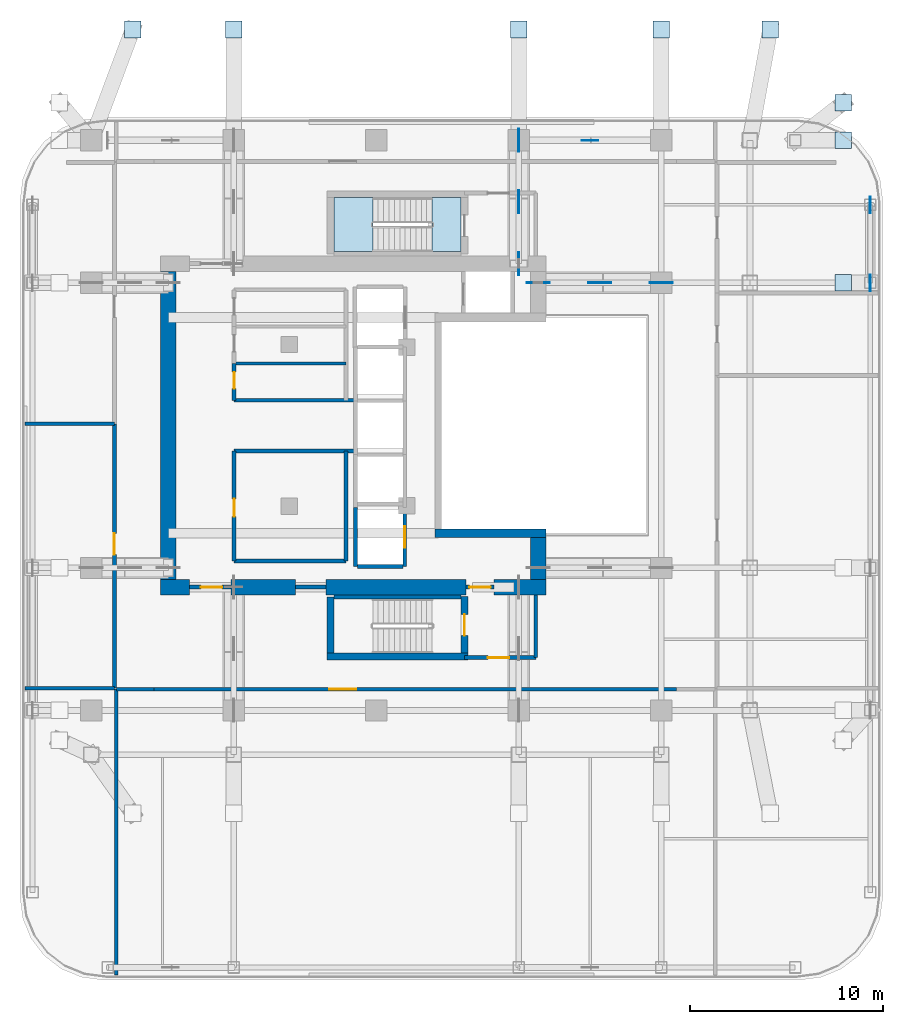
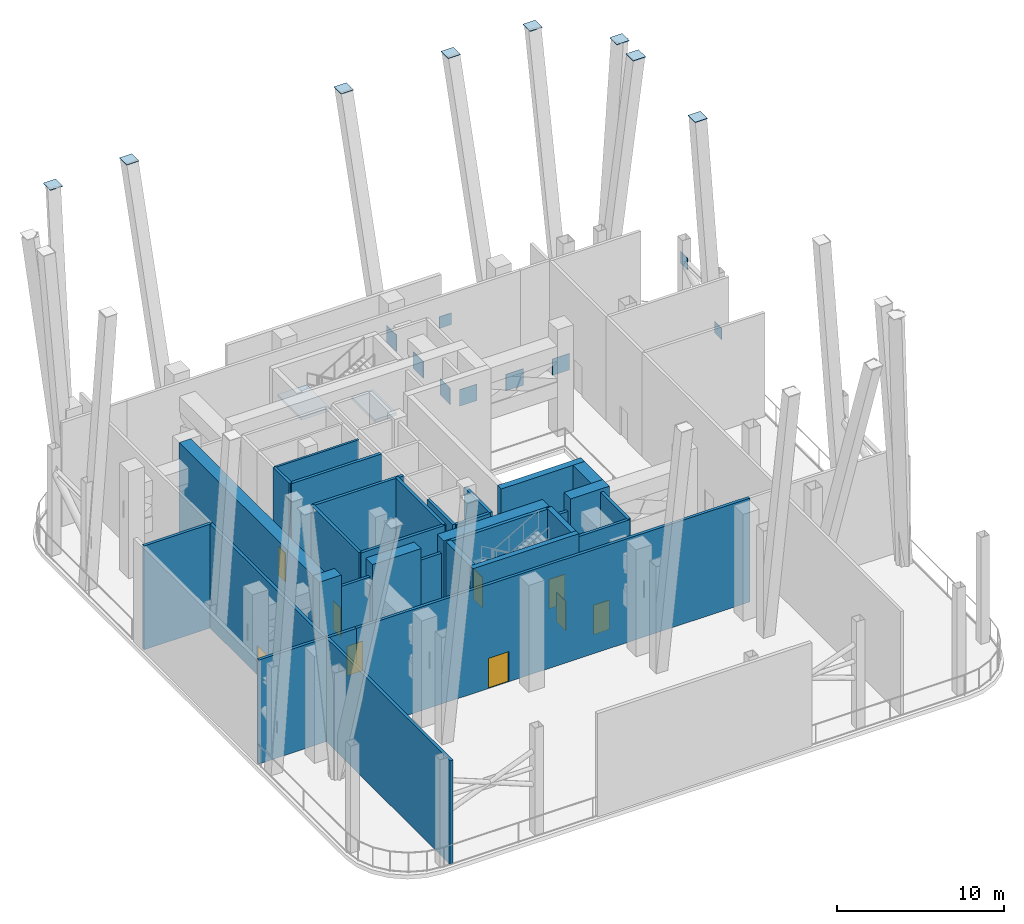
# One storey, part 4 of 9: 32 walls, 17 plates, 9 doors, 2 slabs, 9 openings, 1 element without a shape of its own.
"""IFC4 building model written with IfcOpenShell, lengths in metres."""

from ifc_helpers import new_model, si_unit, direction, frame, frame_2d, origin, origin_2d, place, context, subcontext, project, spatial, polyline, rectangle, outline, extrude, material, layer, layer_set, type_object, element, fill, aggregate, save


model = new_model("IFC4")

# Units and contexts
model_context = context("Model", 3, precision=1e-05, world=origin(), true_north=direction((0.0, 1.0)))
body_context = subcontext(model_context, "Body", "Model", "MODEL_VIEW")
ifc_project = project(units=[si_unit("LENGTHUNIT", "METRE"), si_unit("AREAUNIT", "SQUARE_METRE"), si_unit("VOLUMEUNIT", "CUBIC_METRE"), si_unit("PLANEANGLEUNIT", "RADIAN"), si_unit("MASSUNIT", "GRAM", prefix="KILO")], contexts=[model_context])

# Site, building, storey
site_placement = place(None, origin())
site = spatial("IfcSite", under=ifc_project, at=site_placement, CompositionType="ELEMENT")
building_placement = place(site_placement, origin())
building = spatial("IfcBuilding", under=site, at=building_placement, Name="Khorvyn Point Tower", CompositionType="ELEMENT")
storey_placement = place(building_placement, frame((0.0, 0.0, 235.199951171875)))
storey = spatial("IfcBuildingStorey", under=building, at=storey_placement, Name="L58", CompositionType="ELEMENT", Elevation=235.199951171875)

# Stair, slabs
ifc_material_1 = material(Name="Concrete C40/50", Category="concrete")
stair_type = type_object("IfcStairType", Name="Tower Concrete C40/50 Dogleg Exit Stair", PredefinedType="HALF_TURN_STAIR", material=ifc_material_1)
stair_placement = place(storey_placement, origin())
stair = element("IfcStair", 1, at=stair_placement, inside=storey, type_object=stair_type, Name="L58 Tower Smokeproof Exit Stair North", PredefinedType="HALF_TURN_STAIR")
ifc_layer_1 = layer(ifc_material_1, 0.199951171875)
ifc_layer_set_1 = layer_set([ifc_layer_1], Name="Concrete C40/50 Stair Landing Slab 200")
slab_type = type_object("IfcSlabType", Name="Concrete C40/50 Stair Landing Slab 200", PredefinedType="LANDING", material=ifc_layer_set_1)
slab_1_placement = place(storey_placement, frame((0.0, 0.0, 3.699951171875)))
slab_1 = element("IfcSlab", 2, at=slab_1_placement, type_object=slab_type, Name="ST-02 landing 2", PredefinedType="LANDING", context=body_context, shape_type="SweptSolid", body=[
    extrude(outline(polyline([(4.39990234375, 11.820068359375), (2.89990234375, 11.820068359375), (2.89990234375, 9.02001953125), (4.39990234375, 9.02001953125), (4.39990234375, 11.820068359375)])), origin(), (0.0, 0.0, 1.0), 0.2001953125),
])
slab_2_placement = place(storey_placement, frame((0.0, 0.0, 5.650146484375)))
slab_2 = element("IfcSlab", 3, at=slab_2_placement, type_object=slab_type, Name="ST-02 landing 3", PredefinedType="LANDING", context=body_context, shape_type="SweptSolid", body=[
    extrude(outline(polyline([(-0.179931640625, 11.820068359375), (-2.199951171875, 11.820068359375), (-2.199951171875, 9.02001953125), (-0.179931640625, 9.02001953125), (-0.179931640625, 11.820068359375)])), origin(), (0.0, 0.0, 1.0), 0.199951171875),
])
aggregate(stair, [slab_1, slab_2])

# Plates
ifc_material_2 = material(Name="Steel S450", Category="steel")
ifc_layer_2 = layer(ifc_material_2, 0.031982421875)
ifc_layer_set_2 = layer_set([ifc_layer_2], Name="Steel S450 Exoskeleton End Cap Plate 32")
plate_type_1 = type_object("IfcPlateType", Name="Steel S450 Exoskeleton End Cap Plate 32", PredefinedType="USERDEFINED", material=ifc_layer_set_2)
plate_placement = place(storey_placement, frame((11.10009765625, 14.800048828125, 4.3349609375), z_axis=(0.0, 0.0, 1.0), x_axis=(1.0, 0.0, 0.0)))
element("IfcPlate", 4, at=plate_placement, inside=storey, type_object=plate_type_1, Name="NP-BT-L58-N2-M", ObjectType="GUSSET", PredefinedType="USERDEFINED", context=body_context, shape_type="SweptSolid", body=[
    extrude(rectangle(XDim=0.860107421875, YDim=0.031982421875, at=origin_2d()), origin(), (0.0, 0.0, 1.0), 0.860107421875),
])
for number, where, z_axis, x_axis, name in (
    (5, (25.64990234375, 11.449951171875, 5.64990234375), (0.0, 0.0, 1.0), (1.0, 0.0, 0.0), "NP-EXO-L58-E2"),
    (6, (25.64990234375, 7.39990234375, 3.02001953125), (0.0, 0.0, 1.0), (1.0, 0.0, 0.0), "NP-EXO-BOT-L58-E2"),
):
    element("IfcPlate", number, at=place(storey_placement, frame(where, z_axis=z_axis, x_axis=x_axis)), inside=storey, type_object=plate_type_1, Name=name, ObjectType="GUSSET", PredefinedType="USERDEFINED", context=body_context, shape_type="SweptSolid", body=[
        extrude(rectangle(XDim=0.031982421875, YDim=0.860107421875, at=origin_2d()), origin(), (0.0, 0.0, 1.0), 0.860107421875),
    ])
for number, where, z_axis, x_axis, name in (
    (7, (-12.64892578125, 20.552734375, 19.49365234375), (0.0, 0.0, 1.0), (1.0, 0.0, 0.0), "Plate"),
    (8, (20.450439453125, 20.552734375, 19.49365234375), (0.0, 0.0, 1.0), (1.0, 0.0, 0.0), "Plate"),
    (9, (24.251220703125, 16.7509765625, 19.494140625), (0.0, 0.0, 1.0), (1.0, 0.0, 0.0), "Plate"),
    (10, (-7.39990234375, 20.552734375, 19.49365234375), (0.0, 0.0, 1.0), (1.0, 0.0, 0.0), "Plate"),
    (11, (7.39990234375, 20.552734375, 19.49365234375), (0.0, 0.0, 1.0), (1.0, 0.0, 0.0), "Plate"),
    (12, (14.800048828125, 20.552734375, 19.49365234375), (0.0, 0.0, 1.0), (1.0, 0.0, 0.0), "Plate"),
    (13, (24.249267578125, 7.39990234375, 19.494140625), (0.0, 0.0, 1.0), (1.0, 0.0, 0.0), "Plate"),
    (14, (24.251220703125, 14.800048828125, 19.494140625), (0.0, 0.0, 1.0), (1.0, 0.0, 0.0), "Plate"),
):
    element("IfcPlate", number, at=place(storey_placement, frame(where, z_axis=z_axis, x_axis=x_axis)), inside=storey, type_object=plate_type_1, Name=name, ObjectType="GUSSET", PredefinedType="USERDEFINED", context=body_context, shape_type="SweptSolid", body=[
        extrude(rectangle(XDim=0.860107421875, YDim=0.860107421875, at=origin_2d()), origin(), (0.0, 0.0, 1.0), 0.031982421875),
    ])
ifc_layer_3 = layer(ifc_material_2, 0.0400390625)
ifc_layer_set_3 = layer_set([ifc_layer_3], Name="Steel S450 Outrigger Gusset Node Plate 40")
plate_type_2 = type_object("IfcPlateType", Name="Steel S450 Outrigger Gusset Node Plate 40", PredefinedType="USERDEFINED", material=ifc_layer_set_3)
for number, where, z_axis, x_axis, name in (
    (15, (14.800048828125, 7.39990234375, 4.1650390625), (0.0, 0.0, 1.0), (1.0, 0.0, 0.0), "NP-OT-L58-EN"),
    (16, (8.39990234375, 7.39990234375, 4.1650390625), (0.0, 0.0, 1.0), (1.0, 0.0, 0.0), "NP-OT-IN-L58-EN"),
    (17, (11.60009765625, 7.39990234375, 4.1650390625), (0.0, 0.0, 1.0), (1.0, 0.0, 0.0), "NP-OT-MID-L58-EN"),
):
    element("IfcPlate", number, at=place(storey_placement, frame(where, z_axis=z_axis, x_axis=x_axis)), inside=storey, type_object=plate_type_2, Name=name, ObjectType="GUSSET", PredefinedType="USERDEFINED", context=body_context, shape_type="SweptSolid", body=[
        extrude(rectangle(XDim=1.199951171875, YDim=0.0400390625, at=origin_2d()), origin(), (0.0, 0.0, 1.0), 1.199951171875),
    ])
for number, where, z_axis, x_axis, name in (
    (18, (7.39990234375, 14.800048828125, 4.1650390625), (0.0, 0.0, 1.0), (1.0, 0.0, 0.0), "NP-OT-L58-NE"),
    (19, (7.39990234375, 8.39990234375, 4.1650390625), (0.0, 0.0, 1.0), (1.0, 0.0, 0.0), "NP-OT-IN-L58-NE"),
    (20, (7.39990234375, 11.60009765625, 4.1650390625), (0.0, 0.0, 1.0), (1.0, 0.0, 0.0), "NP-OT-MID-L58-NE"),
):
    element("IfcPlate", number, at=place(storey_placement, frame(where, z_axis=z_axis, x_axis=x_axis)), inside=storey, type_object=plate_type_2, Name=name, ObjectType="GUSSET", PredefinedType="USERDEFINED", context=body_context, shape_type="SweptSolid", body=[
        extrude(rectangle(XDim=0.0400390625, YDim=1.199951171875, at=origin_2d()), origin(), (0.0, 0.0, 1.0), 1.199951171875),
    ])

# Wall
ifc_layer_4 = layer(ifc_material_1, 0.449951171875)
ifc_layer_set_4 = layer_set([ifc_layer_4], Name="Concrete C40/50 Core Shear Wall 450")
wall_type_1 = type_object("IfcWallType", Name="Concrete C40/50 Core Shear Wall 450", PredefinedType="SHEAR", material=ifc_layer_set_4)
wall_1_placement = place(storey_placement, frame((3.044921875, -5.60009765625, 0.0), z_axis=(0.0, 0.0, 1.0), x_axis=(1.0, 0.0, 0.0)))
element("IfcWall", 21, at=wall_1_placement, inside=storey, type_object=wall_type_1, Name="Wall", PredefinedType="SHEAR", context=body_context, shape_type="SweptSolid", body=[
    extrude(rectangle(XDim=5.755126953125, YDim=0.449951171875, at=frame_2d((2.87744140625, 0.0))), origin(), (0.0, 0.0, 1.0), 7.800048828125),
])

# Wall, opening, door
ifc_layer_5 = layer(ifc_material_1, 0.199951171875)
ifc_layer_set_5 = layer_set([ifc_layer_5], Name="Concrete C40/50 Fire-Lobby Compartment Wall 200")
wall_type_2 = type_object("IfcWallType", Name="Concrete C40/50 Fire-Lobby Compartment Wall 200", PredefinedType="SOLIDWALL", material=ifc_layer_set_5)
wall_2_placement = place(storey_placement, frame((4.580078125, -12.06005859375, 0.0), z_axis=(0.0, 0.0, 1.0), x_axis=(1.0, 0.0, 0.0)))
wall_2 = element("IfcWall", 22, at=wall_2_placement, inside=storey, type_object=wall_type_2, Name="Wall", PredefinedType="SOLIDWALL", context=body_context, shape_type="SweptSolid", body=[
    extrude(rectangle(XDim=3.699951171875, YDim=0.199951171875, at=frame_2d((1.85009765625, 0.0))), origin(), (0.0, 0.0, 1.0), 7.580078125),
])
opening_1_placement = place(wall_2_placement, frame((1.21240234375, 0.0, 0.0)))
opening_1 = element("IfcOpeningElement", 23, at=opening_1_placement, cuts=wall_2, Name="Opening ID-FL90", PredefinedType="OPENING", context=body_context, shape_type="SweptSolid", body=[
    extrude(rectangle(XDim=1.10009765625, YDim=2.14990234375, at=frame_2d((0.550048828125, 1.074951171875))), frame((0.0, 0.10986328125, 0.0), z_axis=(0.0, -1.0, 0.0), x_axis=(1.0, 0.0, 0.0)), (0.0, 0.0, 1.0), 0.219970703125),
])
ifc_material_3 = material(Name="Galvanised powder-coated steel", Category="steel")
door_type_1 = type_object("IfcDoorType", Name="Fire-Rated Steel Lobby and Stair Door 1100x2150", OperationType="NOTDEFINED", PredefinedType="DOOR", material=ifc_material_3)
door_1_placement = place(opening_1_placement, origin())
door_1 = element("IfcDoor", 24, at=door_1_placement, inside=storey, type_object=door_type_1, Name="Door", OperationType="SINGLE_SWING_RIGHT", OverallHeight=2.14990234375, OverallWidth=1.10009765625, PredefinedType="DOOR", context=body_context, shape_type="SweptSolid", body=[
    extrude(rectangle(XDim=1.10009765625, YDim=2.14990234375, at=frame_2d((0.550048828125, 1.074951171875))), frame((0.0, 0.02490234375, 0.0), z_axis=(0.0, -1.0, 0.0), x_axis=(1.0, 0.0, 0.0)), (0.0, 0.0, 1.0), 0.050048828125),
])
fill(opening_1, door_1)

wall_3_placement = place(storey_placement, frame((4.64990234375, -8.39990234375, 0.0), z_axis=(0.0, 0.0, 1.0), x_axis=(1.0, 0.0, 0.0)))
wall_3 = element("IfcWall", 25, at=wall_3_placement, inside=storey, type_object=wall_type_2, Name="Wall", PredefinedType="SOLIDWALL", context=body_context, shape_type="SweptSolid", body=[
    extrude(rectangle(XDim=1.47021484375, YDim=0.199951171875, at=frame_2d((0.735107421875, 0.0))), origin(), (0.0, 0.0, 1.0), 6.719970703125),
])
opening_2_placement = place(wall_3_placement, frame((0.18505859375, 0.0, 0.0)))
opening_2 = element("IfcOpeningElement", 26, at=opening_2_placement, cuts=wall_3, Name="Opening ID-FL90", PredefinedType="OPENING", context=body_context, shape_type="SweptSolid", body=[
    extrude(rectangle(XDim=1.10009765625, YDim=2.14990234375, at=frame_2d((0.550048828125, 1.074951171875))), frame((0.0, 0.10986328125, 0.0), z_axis=(0.0, -1.0, 0.0), x_axis=(1.0, 0.0, 0.0)), (0.0, 0.0, 1.0), 0.219970703125),
])
door_2_placement = place(opening_2_placement, origin())
door_2 = element("IfcDoor", 27, at=door_2_placement, inside=storey, type_object=door_type_1, Name="Door", OperationType="SINGLE_SWING_LEFT", OverallHeight=2.14990234375, OverallWidth=1.10009765625, PredefinedType="DOOR", context=body_context, shape_type="SweptSolid", body=[
    extrude(rectangle(XDim=1.10009765625, YDim=2.14990234375, at=frame_2d((0.550048828125, 1.074951171875))), frame((0.0, 0.02490234375, 0.0), z_axis=(0.0, -1.0, 0.0), x_axis=(1.0, 0.0, 0.0)), (0.0, 0.0, 1.0), 0.050048828125),
])
fill(opening_2, door_2)

wall_4_placement = place(storey_placement, frame((-9.699951171875, -8.39990234375, 0.0), z_axis=(0.0, 0.0, 1.0), x_axis=(1.0, 0.0, 0.0)))
wall_4 = element("IfcWall", 28, at=wall_4_placement, inside=storey, type_object=wall_type_2, Name="Wall", PredefinedType="SOLIDWALL", context=body_context, shape_type="SweptSolid", body=[
    extrude(rectangle(XDim=2.14990234375, YDim=0.199951171875, at=frame_2d((1.074951171875, 0.0))), origin(), (0.0, 0.0, 1.0), 6.719970703125),
])
opening_3_placement = place(wall_4_placement, frame((0.597900390625, 0.0, 0.0)))
opening_3 = element("IfcOpeningElement", 29, at=opening_3_placement, cuts=wall_4, Name="Opening ID-FL90", PredefinedType="OPENING", context=body_context, shape_type="SweptSolid", body=[
    extrude(rectangle(XDim=1.10009765625, YDim=2.14990234375, at=frame_2d((0.550048828125, 1.074951171875))), frame((0.0, 0.10986328125, 0.0), z_axis=(0.0, -1.0, 0.0), x_axis=(1.0, 0.0, 0.0)), (0.0, 0.0, 1.0), 0.219970703125),
])
door_3_placement = place(opening_3_placement, origin())
door_3 = element("IfcDoor", 30, at=door_3_placement, inside=storey, type_object=door_type_1, Name="Door", OperationType="SINGLE_SWING_LEFT", OverallHeight=2.14990234375, OverallWidth=1.10009765625, PredefinedType="DOOR", context=body_context, shape_type="SweptSolid", body=[
    extrude(rectangle(XDim=1.10009765625, YDim=2.14990234375, at=frame_2d((0.550048828125, 1.074951171875))), frame((0.0, 0.02490234375, 0.0), z_axis=(0.0, -1.0, 0.0), x_axis=(1.0, 0.0, 0.0)), (0.0, 0.0, 1.0), 0.050048828125),
])
fill(opening_3, door_3)

wall_5_placement = place(storey_placement, frame((-7.3798828125, -7.0400390625, 0.0), z_axis=(0.0, 0.0, 1.0), x_axis=(0.0, 1.0, 0.0)))
wall_5 = element("IfcWall", 31, at=wall_5_placement, inside=storey, type_object=wall_type_2, Name="Wall", PredefinedType="SOLIDWALL", context=body_context, shape_type="SweptSolid", body=[
    extrude(rectangle(XDim=5.699951171875, YDim=0.199951171875, at=frame_2d((2.85009765625, 0.0))), origin(), (0.0, 0.0, 1.0), 7.580078125),
])
opening_4_placement = place(wall_5_placement, frame((2.30078125, 0.0, 0.0)))
opening_4 = element("IfcOpeningElement", 32, at=opening_4_placement, cuts=wall_5, Name="Opening ID-RS60", PredefinedType="OPENING", context=body_context, shape_type="SweptSolid", body=[
    extrude(rectangle(XDim=0.919921875, YDim=2.10009765625, at=frame_2d((0.4599609375, 1.050048828125))), frame((0.0, 0.10986328125, 0.0), z_axis=(0.0, -1.0, 0.0), x_axis=(1.0, 0.0, 0.0)), (0.0, 0.0, 1.0), 0.219970703125),
])
door_type_2 = type_object("IfcDoorType", Name="Fire-Rated Riser and Store Steel Door 920x2100", OperationType="NOTDEFINED", PredefinedType="DOOR", material=ifc_material_3)
door_4_placement = place(opening_4_placement, origin())
door_4 = element("IfcDoor", 33, at=door_4_placement, inside=storey, type_object=door_type_2, Name="Door", OperationType="SINGLE_SWING_LEFT", OverallHeight=2.10009765625, OverallWidth=0.919921875, PredefinedType="DOOR", context=body_context, shape_type="SweptSolid", body=[
    extrude(rectangle(XDim=0.919921875, YDim=2.10009765625, at=frame_2d((0.4599609375, 1.050048828125))), frame((0.0, 0.02490234375, 0.0), z_axis=(0.0, -1.0, 0.0), x_axis=(1.0, 0.0, 0.0)), (0.0, 0.0, 1.0), 0.050048828125),
])
fill(opening_4, door_4)

wall_6_placement = place(storey_placement, frame((-7.3798828125, 1.300048828125, 0.0), z_axis=(0.0, 0.0, 1.0), x_axis=(0.0, 1.0, 0.0)))
wall_6 = element("IfcWall", 34, at=wall_6_placement, inside=storey, type_object=wall_type_2, Name="Wall", PredefinedType="SOLIDWALL", context=body_context, shape_type="SweptSolid", body=[
    extrude(rectangle(XDim=1.919921875, YDim=0.199951171875, at=frame_2d((0.9599609375, 0.0))), origin(), (0.0, 0.0, 1.0), 7.580078125),
])
opening_5_placement = place(wall_6_placement, frame((0.610107421875, 0.0, 0.0)))
opening_5 = element("IfcOpeningElement", 35, at=opening_5_placement, cuts=wall_6, Name="Opening ID-WC85", PredefinedType="OPENING", context=body_context, shape_type="SweptSolid", body=[
    extrude(rectangle(XDim=0.85009765625, YDim=2.10009765625, at=frame_2d((0.425048828125, 1.050048828125))), frame((0.0, 0.10986328125, 0.0), z_axis=(0.0, -1.0, 0.0), x_axis=(1.0, 0.0, 0.0)), (0.0, 0.0, 1.0), 0.219970703125),
])
ifc_material_4 = material(Name="High-pressure laminate on moisture-resistant core", Category="wood")
door_type_3 = type_object("IfcDoorType", Name="Moisture-Resistant Accessible Washroom Door 850x2100", OperationType="NOTDEFINED", PredefinedType="DOOR", material=ifc_material_4)
door_5_placement = place(opening_5_placement, origin())
door_5 = element("IfcDoor", 36, at=door_5_placement, inside=storey, type_object=door_type_3, Name="Door", OperationType="SINGLE_SWING_RIGHT", OverallHeight=2.10009765625, OverallWidth=0.85009765625, PredefinedType="DOOR", context=body_context, shape_type="SweptSolid", body=[
    extrude(rectangle(XDim=0.85009765625, YDim=2.10009765625, at=frame_2d((0.425048828125, 1.050048828125))), frame((0.0, 0.02490234375, 0.0), z_axis=(0.0, -1.0, 0.0), x_axis=(1.0, 0.0, 0.0)), (0.0, 0.0, 1.0), 0.050048828125),
])
fill(opening_5, door_5)

wall_7_placement = place(storey_placement, frame((-11.550048828125, -13.699951171875, 0.0), z_axis=(0.0, 0.0, 1.0), x_axis=(1.0, 0.0, 0.0)))
wall_7 = element("IfcWall", 37, at=wall_7_placement, inside=storey, type_object=wall_type_2, Name="Wall", PredefinedType="SOLIDWALL", context=body_context, shape_type="SweptSolid", body=[
    extrude(rectangle(XDim=27.150146484375, YDim=0.199951171875, at=frame_2d((13.5751953125, 0.0))), origin(), (0.0, 0.0, 1.0), 7.580078125),
])
opening_6_placement = place(wall_7_placement, frame((9.1142578125, 0.0, 0.0)))
opening_6 = element("IfcOpeningElement", 38, at=opening_6_placement, cuts=wall_7, Name="Opening ID-PL90", PredefinedType="OPENING", context=body_context, shape_type="SweptSolid", body=[
    extrude(rectangle(XDim=1.39990234375, YDim=2.199951171875, at=frame_2d((0.699951171875, 1.10009765625))), frame((0.0, 0.10986328125, 0.0), z_axis=(0.0, -1.0, 0.0), x_axis=(1.0, 0.0, 0.0)), (0.0, 0.0, 1.0), 0.219970703125),
])
door_type_4 = type_object("IfcDoorType", Name="Double-Leaf Acoustic Steel Plant Room Door 1400x2200", OperationType="DOUBLE_DOOR_SINGLE_SWING", PredefinedType="DOOR", material=ifc_material_3)
door_6_placement = place(opening_6_placement, origin())
door_6 = element("IfcDoor", 39, at=door_6_placement, inside=storey, type_object=door_type_4, Name="Door", OperationType="SINGLE_SWING_LEFT", OverallHeight=2.199951171875, OverallWidth=1.39990234375, PredefinedType="DOOR", context=body_context, shape_type="SweptSolid", body=[
    extrude(rectangle(XDim=1.39990234375, YDim=2.199951171875, at=frame_2d((0.699951171875, 1.10009765625))), frame((0.0, 0.02490234375, 0.0), z_axis=(0.0, -1.0, 0.0), x_axis=(1.0, 0.0, 0.0)), (0.0, 0.0, 1.0), 0.050048828125),
])
fill(opening_6, door_6)

wall_8_placement = place(storey_placement, frame((-13.60009765625, -13.64990234375, 0.0), z_axis=(0.0, 0.0, 1.0), x_axis=(0.0, 1.0, 0.0)))
wall_8 = element("IfcWall", 40, at=wall_8_placement, inside=storey, type_object=wall_type_2, Name="Wall", PredefinedType="SOLIDWALL", context=body_context, shape_type="SweptSolid", body=[
    extrude(rectangle(XDim=13.72998046875, YDim=0.199951171875, at=frame_2d((6.864990234375, 0.0))), origin(), (0.0, 0.0, 1.0), 7.580078125),
])
opening_7_placement = place(wall_8_placement, frame((6.939453125, 0.0, 0.0)))
opening_7 = element("IfcOpeningElement", 41, at=opening_7_placement, cuts=wall_8, Name="Opening ID-FL90", PredefinedType="OPENING", context=body_context, shape_type="SweptSolid", body=[
    extrude(rectangle(XDim=1.10009765625, YDim=2.14990234375, at=frame_2d((0.550048828125, 1.074951171875))), frame((0.0, 0.10986328125, 0.0), z_axis=(0.0, -1.0, 0.0), x_axis=(1.0, 0.0, 0.0)), (0.0, 0.0, 1.0), 0.219970703125),
])
door_7_placement = place(opening_7_placement, origin())
door_7 = element("IfcDoor", 42, at=door_7_placement, inside=storey, type_object=door_type_1, Name="Door", OperationType="SINGLE_SWING_LEFT", OverallHeight=2.14990234375, OverallWidth=1.10009765625, PredefinedType="DOOR", context=body_context, shape_type="SweptSolid", body=[
    extrude(rectangle(XDim=1.10009765625, YDim=2.14990234375, at=frame_2d((0.550048828125, 1.074951171875))), frame((0.0, 0.02490234375, 0.0), z_axis=(0.0, -1.0, 0.0), x_axis=(1.0, 0.0, 0.0)), (0.0, 0.0, 1.0), 0.050048828125),
])
fill(opening_7, door_7)

# Walls
wall_9_placement = place(storey_placement, frame((8.280029296875, -12.06005859375, 0.0), z_axis=(0.0, 0.0, 1.0), x_axis=(0.0, 1.0, 0.0)))
element("IfcWall", 43, at=wall_9_placement, inside=storey, type_object=wall_type_2, Name="Wall", PredefinedType="SOLIDWALL", context=body_context, shape_type="SweptSolid", body=[
    extrude(rectangle(XDim=3.260009765625, YDim=0.199951171875, at=frame_2d((1.6298828125, 0.0))), origin(), (0.0, 0.0, 1.0), 7.580078125),
])
wall_10_placement = place(storey_placement, frame((-4.199951171875, -8.39990234375, 0.0), z_axis=(0.0, 0.0, 1.0), x_axis=(1.0, 0.0, 0.0)))
element("IfcWall", 44, at=wall_10_placement, inside=storey, type_object=wall_type_2, Name="Wall", PredefinedType="SOLIDWALL", context=body_context, shape_type="SweptSolid", body=[
    extrude(rectangle(XDim=1.579833984375, YDim=0.199951171875, at=frame_2d((0.7900390625, 0.0))), origin(), (0.0, 0.0, 1.0), 6.719970703125),
])
for number, where, z_axis, x_axis, name in (
    (45, (-7.3798828125, -1.340087890625, 0.0), (0.0, 0.0, 1.0), (1.0, 0.0, 0.0), "Wall"),
    (46, (-7.3798828125, 1.300048828125, 0.0), (0.0, 0.0, 1.0), (1.0, 0.0, 0.0), "Wall"),
):
    element("IfcWall", number, at=place(storey_placement, frame(where, z_axis=z_axis, x_axis=x_axis)), inside=storey, type_object=wall_type_2, Name=name, PredefinedType="SOLIDWALL", context=body_context, shape_type="SweptSolid", body=[
        extrude(rectangle(XDim=6.239990234375, YDim=0.199951171875, at=frame_2d((3.1201171875, 0.0))), origin(), (0.0, 0.0, 1.0), 7.580078125),
    ])
wall_11_placement = place(storey_placement, frame((-1.580078125, -7.0400390625, 0.0), z_axis=(0.0, 0.0, 1.0), x_axis=(0.0, 1.0, 0.0)))
element("IfcWall", 47, at=wall_11_placement, inside=storey, type_object=wall_type_2, Name="Wall", PredefinedType="SOLIDWALL", context=body_context, shape_type="SweptSolid", body=[
    extrude(rectangle(XDim=5.699951171875, YDim=0.199951171875, at=frame_2d((2.85009765625, 0.0))), origin(), (0.0, 0.0, 1.0), 7.580078125),
])
wall_12_placement = place(storey_placement, frame((-7.3798828125, -7.0400390625, 0.0), z_axis=(0.0, 0.0, 1.0), x_axis=(1.0, 0.0, 0.0)))
element("IfcWall", 48, at=wall_12_placement, inside=storey, type_object=wall_type_2, Name="Wall", PredefinedType="SOLIDWALL", context=body_context, shape_type="SweptSolid", body=[
    extrude(rectangle(XDim=5.7998046875, YDim=0.199951171875, at=frame_2d((2.89990234375, 0.0))), origin(), (0.0, 0.0, 1.0), 7.580078125),
])
wall_13_placement = place(storey_placement, frame((-13.5, -13.699951171875, 0.0), z_axis=(0.0, 0.0, 1.0), x_axis=(1.0, 0.0, 0.0)))
element("IfcWall", 49, at=wall_13_placement, inside=storey, type_object=wall_type_2, Name="Wall", PredefinedType="SOLIDWALL", context=body_context, shape_type="SweptSolid", body=[
    extrude(rectangle(XDim=1.949951171875, YDim=0.199951171875, at=frame_2d((0.97509765625, 0.0))), origin(), (0.0, 0.0, 1.0), 7.580078125),
])
wall_14_placement = place(storey_placement, frame((-13.5, -28.550048828125, 0.0), z_axis=(0.0, 0.0, 1.0), x_axis=(0.0, 1.0, 0.0)))
element("IfcWall", 50, at=wall_14_placement, inside=storey, type_object=wall_type_2, Name="Wall", PredefinedType="SOLIDWALL", context=body_context, shape_type="SweptSolid", body=[
    extrude(rectangle(XDim=14.85009765625, YDim=0.199951171875, at=frame_2d((7.425048828125, 0.0))), origin(), (0.0, 0.0, 1.0), 7.580078125),
])
for number, where, z_axis, x_axis, name in (
    (51, (-18.25, -13.64990234375, 0.0), (0.0, 0.0, 1.0), (1.0, 0.0, 0.0), "Wall"),
    (52, (-18.25, 0.080078125, 0.0), (0.0, 0.0, 1.0), (1.0, 0.0, 0.0), "Wall"),
):
    element("IfcWall", number, at=place(storey_placement, frame(where, z_axis=z_axis, x_axis=x_axis)), inside=storey, type_object=wall_type_2, Name=name, PredefinedType="SOLIDWALL", context=body_context, shape_type="SweptSolid", body=[
        extrude(rectangle(XDim=4.64990234375, YDim=0.199951171875, at=frame_2d((2.324951171875, 0.0))), origin(), (0.0, 0.0, 1.0), 7.580078125),
    ])
ifc_layer_6 = layer(ifc_material_1, 0.25)
ifc_layer_set_6 = layer_set([ifc_layer_6], Name="Concrete C40/50 Stair Inner Cheek Structural Wall 250")
wall_type_3 = type_object("IfcWallType", Name="Concrete C40/50 Stair Inner Cheek Structural Wall 250", PredefinedType="SHEAR", material=ifc_layer_set_6)
wall_15_placement = place(storey_placement, frame((-2.199951171875, -8.91259765625, 0.0), z_axis=(0.0, 0.0, 1.0), x_axis=(1.0, 0.0, 0.0)))
element("IfcWall", 53, at=wall_15_placement, inside=storey, type_object=wall_type_3, Name="Wall", PredefinedType="SHEAR", context=body_context, shape_type="SweptSolid", body=[
    extrude(rectangle(XDim=6.599853515625, YDim=0.22509765625, at=frame_2d((3.2998046875, 0.0))), origin(), (0.0, 0.0, 1.0), 7.800048828125),
])
ifc_layer_7 = layer(ifc_material_1, 0.35009765625)
ifc_layer_set_7 = layer_set([ifc_layer_7], Name="Concrete C40/50 Stair Shaft Structural Wall 350")
wall_type_4 = type_object("IfcWallType", Name="Concrete C40/50 Stair Shaft Structural Wall 350", PredefinedType="SHEAR", material=ifc_layer_set_7)
wall_16_placement = place(storey_placement, frame((-2.554931640625, -12.0, 0.0), z_axis=(0.0, 0.0, 1.0), x_axis=(1.0, 0.0, 0.0)))
element("IfcWall", 54, at=wall_16_placement, inside=storey, type_object=wall_type_4, Name="L58 ST-01 South Shaft Wall", PredefinedType="SHEAR", context=body_context, shape_type="SweptSolid", body=[
    extrude(rectangle(XDim=7.309814453125, YDim=0.35009765625, at=frame_2d((3.65478515625, 0.0))), origin(), (0.0, 0.0, 1.0), 7.800048828125),
])
wall_17_placement = place(storey_placement, frame((-2.3798828125, -11.824951171875, 0.0), z_axis=(0.0, 0.0, 1.0), x_axis=(0.0, 1.0, 0.0)))
element("IfcWall", 55, at=wall_17_placement, inside=storey, type_object=wall_type_4, Name="L58 ST-01 West Shaft Wall", PredefinedType="SHEAR", context=body_context, shape_type="SweptSolid", body=[
    extrude(rectangle(XDim=2.925048828125, YDim=0.35009765625, at=frame_2d((1.46240234375, 0.0))), origin(), (0.0, 0.0, 1.0), 7.800048828125),
])

# Wall, opening, door
wall_18_placement = place(storey_placement, frame((4.580078125, -8.89990234375, 0.0), z_axis=(0.0, 0.0, 1.0), x_axis=(0.0, -1.0, 0.0)))
wall_18 = element("IfcWall", 56, at=wall_18_placement, inside=storey, type_object=wall_type_4, Name="L58 ST-01 East Landing Door Wall", PredefinedType="SHEAR", context=body_context, shape_type="SweptSolid", body=[
    extrude(rectangle(XDim=2.925048828125, YDim=0.35009765625, at=frame_2d((1.46240234375, 0.0))), origin(), (0.0, 0.0, 1.0), 7.800048828125),
])
opening_8_placement = place(wall_18_placement, frame((0.91259765625, 0.0, 0.0)))
opening_8 = element("IfcOpeningElement", 57, at=opening_8_placement, cuts=wall_18, Name="Opening ID-FL90", PredefinedType="OPENING", context=body_context, shape_type="SweptSolid", body=[
    extrude(rectangle(XDim=1.10009765625, YDim=2.14990234375, at=frame_2d((0.550048828125, 1.074951171875))), frame((0.0, 0.18505859375, 0.0), z_axis=(0.0, -1.0, 0.0), x_axis=(1.0, 0.0, 0.0)), (0.0, 0.0, 1.0), 0.3701171875),
])
door_8_placement = place(opening_8_placement, origin())
door_8 = element("IfcDoor", 58, at=door_8_placement, inside=storey, type_object=door_type_1, Name="L58 ST-01 Smokeproof Landing Door", OperationType="SINGLE_SWING_RIGHT", OverallHeight=2.14990234375, OverallWidth=1.10009765625, PredefinedType="DOOR", context=body_context, shape_type="SweptSolid", body=[
    extrude(rectangle(XDim=1.10009765625, YDim=2.14990234375, at=frame_2d((0.550048828125, 1.074951171875))), frame((0.0, 0.02490234375, 0.0), z_axis=(0.0, -1.0, 0.0), x_axis=(1.0, 0.0, 0.0)), (0.0, 0.0, 1.0), 0.050048828125),
])
fill(opening_8, door_8)

# Wall
ifc_layer_8 = layer(ifc_material_1, 0.199951171875)
ifc_layer_set_8 = layer_set([ifc_layer_8], Name="Concrete C40/50 Structural Hoistway and Stair Shaft Wall 200")
wall_type_5 = type_object("IfcWallType", Name="Concrete C40/50 Structural Hoistway and Stair Shaft Wall 200", PredefinedType="SHEAR", material=ifc_layer_set_8)
wall_19_placement = place(storey_placement, frame((-1.074951171875, -7.324951171875, 0.0), z_axis=(0.0, 0.0, 1.0), x_axis=(0.0, 1.0, 0.0)))
element("IfcWall", 59, at=wall_19_placement, inside=storey, type_object=wall_type_5, Name="Wall", PredefinedType="SHEAR", context=body_context, shape_type="SweptSolid", body=[
    extrude(rectangle(XDim=3.050048828125, YDim=0.199951171875, at=frame_2d((1.52490234375, 0.0))), origin(), (0.0, 0.0, 1.0), 7.580078125),
])

# Wall, opening, door
wall_20_placement = place(storey_placement, frame((1.47509765625, -7.324951171875, 0.0), z_axis=(0.0, 0.0, 1.0), x_axis=(0.0, 1.0, 0.0)))
wall_20 = element("IfcWall", 60, at=wall_20_placement, inside=storey, type_object=wall_type_5, Name="Wall", PredefinedType="SHEAR", context=body_context, shape_type="SweptSolid", body=[
    extrude(rectangle(XDim=3.050048828125, YDim=0.199951171875, at=frame_2d((1.52490234375, 0.0))), origin(), (0.0, 0.0, 1.0), 7.580078125),
])
opening_9_placement = place(wall_20_placement, frame((0.97509765625, 0.0, 0.0)))
opening_9 = element("IfcOpeningElement", 61, at=opening_9_placement, cuts=wall_20, Name="Opening LD-1122", PredefinedType="OPENING", context=body_context, shape_type="SweptSolid", body=[
    extrude(rectangle(XDim=1.10009765625, YDim=2.199951171875, at=frame_2d((0.550048828125, 1.10009765625))), frame((0.0, 0.10986328125, 0.0), z_axis=(0.0, -1.0, 0.0), x_axis=(1.0, 0.0, 0.0)), (0.0, 0.0, 1.0), 0.219970703125),
])
ifc_material_5 = material(Name="Stainless steel 1.4301", Category="steel")
door_type_5 = type_object("IfcDoorType", Name="Stainless Steel Automatic Sliding Lift Landing Door 1100x2200", OperationType="SLIDING_TO_LEFT", PredefinedType="DOOR", material=ifc_material_5)
door_9_placement = place(opening_9_placement, origin())
door_9 = element("IfcDoor", 62, at=door_9_placement, inside=storey, type_object=door_type_5, Name="L58 FF-01 Sliding Lift Landing Door", OperationType="SLIDING_TO_LEFT", OverallHeight=2.199951171875, OverallWidth=1.10009765625, PredefinedType="DOOR", context=body_context, shape_type="SweptSolid", body=[
    extrude(rectangle(XDim=1.10009765625, YDim=2.199951171875, at=frame_2d((0.550048828125, 1.10009765625))), frame((0.0, 0.02490234375, 0.0), z_axis=(0.0, -1.0, 0.0), x_axis=(1.0, 0.0, 0.0)), (0.0, 0.0, 1.0), 0.050048828125),
])
fill(opening_9, door_9)

# Walls
wall_21_placement = place(storey_placement, frame((-0.97509765625, -7.324951171875, 0.0), z_axis=(0.0, 0.0, 1.0), x_axis=(1.0, 0.0, 0.0)))
element("IfcWall", 63, at=wall_21_placement, inside=storey, type_object=wall_type_5, Name="Wall", PredefinedType="SHEAR", context=body_context, shape_type="SweptSolid", body=[
    extrude(rectangle(XDim=2.35009765625, YDim=0.199951171875, at=frame_2d((1.175048828125, 0.0))), origin(), (0.0, 0.0, 1.0), 7.580078125),
])
ifc_material_6 = material(Name="Concrete C45/55", Category="concrete")
ifc_layer_9 = layer(ifc_material_6, 0.800048828125)
ifc_layer_set_9 = layer_set([ifc_layer_9], Name="Concrete C45/55 Core Shear Wall 800")
wall_type_6 = type_object("IfcWallType", Name="Concrete C45/55 Core Shear Wall 800", PredefinedType="SHEAR", material=ifc_layer_set_9)
wall_22_placement = place(storey_placement, frame((-11.199951171875, -8.39990234375, 0.0), z_axis=(0.0, 0.0, 1.0), x_axis=(1.0, 0.0, 0.0)))
element("IfcWall", 64, at=wall_22_placement, inside=storey, type_object=wall_type_6, Name="Wall", PredefinedType="SHEAR", context=body_context, shape_type="SweptSolid", body=[
    extrude(rectangle(XDim=1.5, YDim=0.800048828125, at=frame_2d((0.75, 0.0))), origin(), (0.0, 0.0, 1.0), 7.800048828125),
])
wall_23_placement = place(storey_placement, frame((-7.550048828125, -8.39990234375, 0.0), z_axis=(0.0, 0.0, 1.0), x_axis=(1.0, 0.0, 0.0)))
element("IfcWall", 65, at=wall_23_placement, inside=storey, type_object=wall_type_6, Name="Wall", PredefinedType="SHEAR", context=body_context, shape_type="SweptSolid", body=[
    extrude(rectangle(XDim=3.35009765625, YDim=0.800048828125, at=frame_2d((1.675048828125, 0.0))), origin(), (0.0, 0.0, 1.0), 7.800048828125),
])
wall_24_placement = place(storey_placement, frame((-2.6201171875, -8.39990234375, 0.0), z_axis=(0.0, 0.0, 1.0), x_axis=(1.0, 0.0, 0.0)))
element("IfcWall", 66, at=wall_24_placement, inside=storey, type_object=wall_type_6, Name="Wall", PredefinedType="SHEAR", context=body_context, shape_type="SweptSolid", body=[
    extrude(rectangle(XDim=7.27001953125, YDim=0.800048828125, at=frame_2d((3.635009765625, 0.0))), origin(), (0.0, 0.0, 1.0), 7.800048828125),
])
wall_25_placement = place(storey_placement, frame((6.1201171875, -8.39990234375, 0.0), z_axis=(0.0, 0.0, 1.0), x_axis=(1.0, 0.0, 0.0)))
element("IfcWall", 67, at=wall_25_placement, inside=storey, type_object=wall_type_6, Name="Wall", PredefinedType="SHEAR", context=body_context, shape_type="SweptSolid", body=[
    extrude(rectangle(XDim=2.679931640625, YDim=0.800048828125, at=frame_2d((1.33984375, 0.0))), origin(), (0.0, 0.0, 1.0), 7.800048828125),
])
wall_26_placement = place(storey_placement, frame((-10.800048828125, -8.0, 0.0), z_axis=(0.0, 0.0, 1.0), x_axis=(0.0, 1.0, 0.0)))
element("IfcWall", 68, at=wall_26_placement, inside=storey, type_object=wall_type_6, Name="Wall", PredefinedType="SHEAR", context=body_context, shape_type="SweptSolid", body=[
    extrude(rectangle(XDim=16.0, YDim=0.800048828125, at=frame_2d((8.0, 0.0))), origin(), (0.0, 0.0, 1.0), 7.800048828125),
])
wall_27_placement = place(storey_placement, frame((8.39990234375, -8.0, 0.0), z_axis=(0.0, 0.0, 1.0), x_axis=(0.0, 1.0, 0.0)))
element("IfcWall", 69, at=wall_27_placement, inside=storey, type_object=wall_type_6, Name="Wall", PredefinedType="SHEAR", context=body_context, shape_type="SweptSolid", body=[
    extrude(rectangle(XDim=2.175048828125, YDim=0.800048828125, at=frame_2d((1.08740234375, 0.0))), origin(), (0.0, 0.0, 1.0), 7.800048828125),
])
ifc_material_7 = material(Name="Moisture-resistant gypsum and cement board", Category="gypsum")
ifc_layer_10 = layer(ifc_material_7, 0.14990234375)
ifc_layer_set_10 = layer_set([ifc_layer_10], Name="Moisture-Resistant Wet-Room Partition Wall 150")
wall_type_7 = type_object("IfcWallType", Name="Moisture-Resistant Wet-Room Partition Wall 150", PredefinedType="PARTITIONING", material=ifc_layer_set_10)
wall_28_placement = place(storey_placement, frame((-7.3798828125, 3.219970703125, 0.0), z_axis=(0.0, 0.0, 1.0), x_axis=(1.0, 0.0, 0.0)))
element("IfcWall", 70, at=wall_28_placement, inside=storey, type_object=wall_type_7, Name="Wall", PredefinedType="PARTITIONING", context=body_context, shape_type="SweptSolid", body=[
    extrude(rectangle(XDim=5.7998046875, YDim=0.14990234375, at=frame_2d((2.89990234375, 0.0))), origin(), (0.0, 0.0, 1.0), 7.580078125),
])

save(model, "model.ifc")
